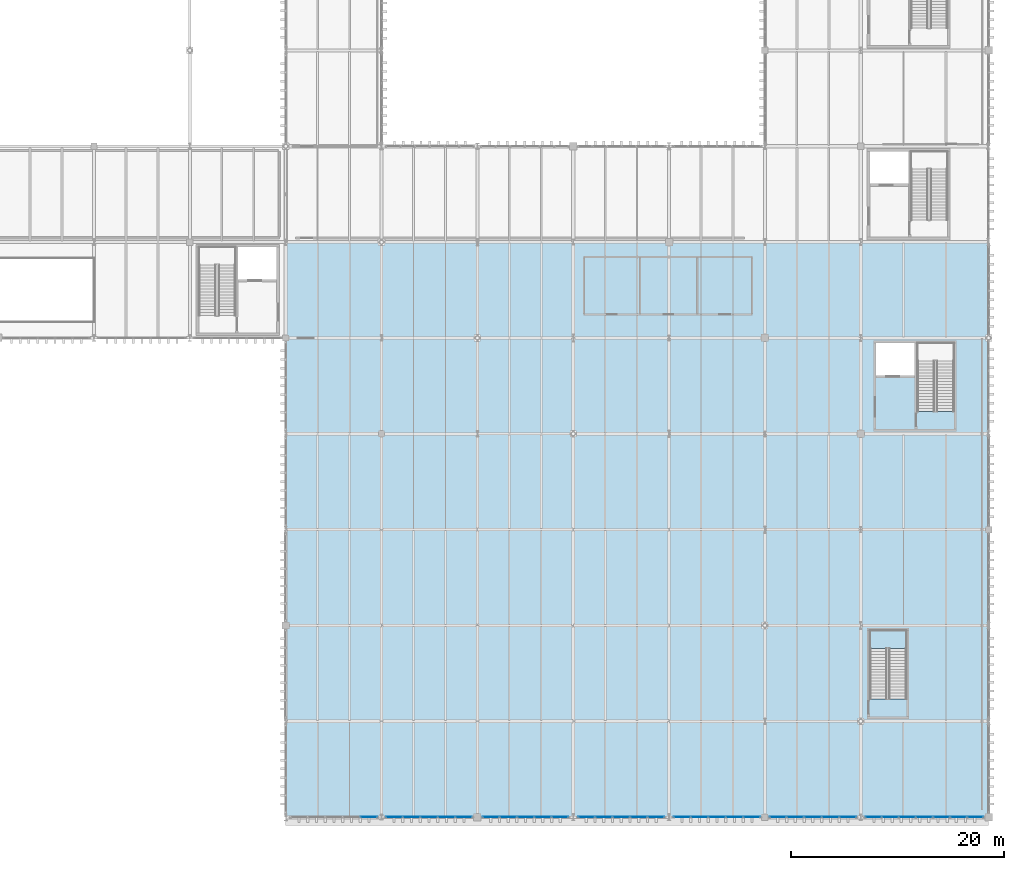
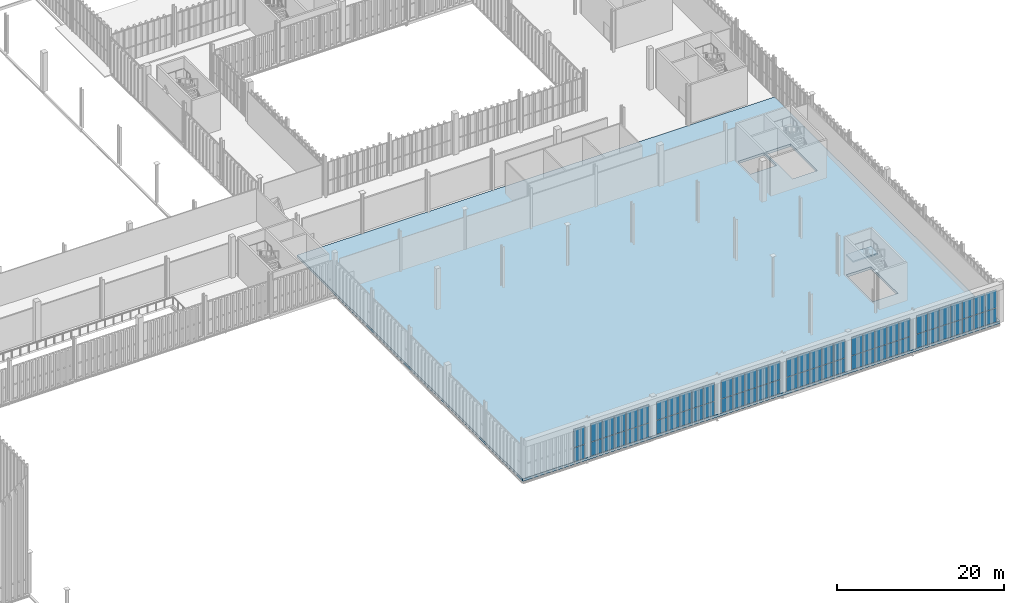
# One storey, part 189 of 237: 66 plates, 2 slabs, 8 elements without a shape of their own.
"""IFC4 building model written with IfcOpenShell, lengths in metres."""

from ifc_helpers import new_model, si_unit, direction, frame, origin, origin_2d, place, context, subcontext, project, spatial, polyline, rectangle, outline, extrude, material, layer, layer_set, type_object, element, aggregate, save


model = new_model("IFC4")

# Units and contexts
model_context = context("Model", 3, precision=1e-05, world=origin(), true_north=direction((0.0, 1.0)))
body_context = subcontext(model_context, "Body", "Model", "MODEL_VIEW")
ifc_project = project(units=[si_unit("LENGTHUNIT", "METRE"), si_unit("AREAUNIT", "SQUARE_METRE"), si_unit("VOLUMEUNIT", "CUBIC_METRE"), si_unit("PLANEANGLEUNIT", "RADIAN"), si_unit("MASSUNIT", "GRAM", prefix="KILO")], contexts=[model_context])

# Site, building, storey
site_placement = place(None, origin())
site = spatial("IfcSite", under=ifc_project, at=site_placement, CompositionType="ELEMENT")
building_placement = place(site_placement, origin())
building = spatial("IfcBuilding", under=site, at=building_placement, Name="Barlavento Convention Centre", CompositionType="ELEMENT")
storey_placement = place(building_placement, frame((0.0, 0.0, 12.0)))
storey = spatial("IfcBuildingStorey", under=building, at=storey_placement, Name="L02", CompositionType="ELEMENT", Elevation=12.0)

# Curtain wall, plates
ifc_material_1 = material(Name="Powder-coated aluminium and Low-E glass", Category="aluminium")
ifc_layer_1 = layer(ifc_material_1, 0.195068359375)
ifc_layer_set_1 = layer_set([ifc_layer_1], Name="ARC-CW-BALL-L02")
curtain_wall_type = type_object("IfcCurtainWallType", Name="ARC-CW-BALL-L02", PredefinedType="NOTDEFINED", material=ifc_layer_set_1)
curtain_wall_1_placement = place(storey_placement, origin())
curtain_wall_1 = element("IfcCurtainWall", 1, at=curtain_wall_1_placement, inside=storey, type_object=curtain_wall_type, Name="L02 unitised curtain wall CW07", PredefinedType="NOTDEFINED")
ifc_material_2 = material(Name="Glazed terracotta spandrel panel", Category="masonry")
ifc_layer_2 = layer(ifc_material_2, 0.044921875)
ifc_layer_set_2 = layer_set([ifc_layer_2], Name="ARC-CWP-TER45")
plate_type = type_object("IfcPlateType", Name="ARC-CWP-TER45", PredefinedType="CURTAIN_PANEL", material=ifc_layer_set_2)
plate_1_placement = place(storey_placement, frame((133.80810546875, 0.0, 0.06494140625), z_axis=(0.0, 0.0, 1.0), x_axis=(1.0, 0.0, 0.0)))
plate_1 = element("IfcPlate", 2, at=plate_1_placement, type_object=plate_type, Name="CW07 panel 5.1", PredefinedType="CURTAIN_PANEL", context=body_context, shape_type="SweptSolid", body=[
    extrude(rectangle(XDim=1.539794921875, YDim=0.044921875, at=origin_2d()), origin(), (0.0, 0.0, 1.0), 2.00244140625),
])
plate_2_placement = place(storey_placement, frame((133.80810546875, 0.0, 2.13232421875), z_axis=(0.0, 0.0, 1.0), x_axis=(1.0, 0.0, 0.0)))
plate_2 = element("IfcPlate", 3, at=plate_2_placement, type_object=plate_type, Name="CW07 panel 5.2", PredefinedType="CURTAIN_PANEL", context=body_context, shape_type="SweptSolid", body=[
    extrude(rectangle(XDim=1.539794921875, YDim=0.044921875, at=origin_2d()), origin(), (0.0, 0.0, 1.0), 2.652587890625),
])
aggregate(curtain_wall_1, [plate_1, plate_2])

curtain_wall_2_placement = place(storey_placement, origin())
curtain_wall_2 = element("IfcCurtainWall", 4, at=curtain_wall_2_placement, inside=storey, type_object=curtain_wall_type, Name="L02 unitised curtain wall CW07", PredefinedType="NOTDEFINED")
plate_3_placement = place(storey_placement, frame((136.190185546875, 0.0, 0.06494140625), z_axis=(0.0, 0.0, 1.0), x_axis=(1.0, 0.0, 0.0)))
plate_3 = element("IfcPlate", 5, at=plate_3_placement, type_object=plate_type, Name="CW07 panel 1.1", PredefinedType="CURTAIN_PANEL", context=body_context, shape_type="SweptSolid", body=[
    extrude(rectangle(XDim=1.53662109375, YDim=0.044921875, at=origin_2d()), origin(), (0.0, 0.0, 1.0), 2.00244140625),
])
plate_4_placement = place(storey_placement, frame((136.190185546875, 0.0, 2.13232421875), z_axis=(0.0, 0.0, 1.0), x_axis=(1.0, 0.0, 0.0)))
plate_4 = element("IfcPlate", 6, at=plate_4_placement, type_object=plate_type, Name="CW07 panel 1.2", PredefinedType="CURTAIN_PANEL", context=body_context, shape_type="SweptSolid", body=[
    extrude(rectangle(XDim=1.53662109375, YDim=0.044921875, at=origin_2d()), origin(), (0.0, 0.0, 1.0), 2.652587890625),
])
plate_5_placement = place(storey_placement, frame((137.814453125, 0.0, 0.06494140625), z_axis=(0.0, 0.0, 1.0), x_axis=(1.0, 0.0, 0.0)))
plate_5 = element("IfcPlate", 7, at=plate_5_placement, type_object=plate_type, Name="CW07 panel 2.1", PredefinedType="CURTAIN_PANEL", context=body_context, shape_type="SweptSolid", body=[
    extrude(rectangle(XDim=1.571533203125, YDim=0.044921875, at=origin_2d()), origin(), (0.0, 0.0, 1.0), 2.00244140625),
])
plate_6_placement = place(storey_placement, frame((137.814453125, 0.0, 2.13232421875), z_axis=(0.0, 0.0, 1.0), x_axis=(1.0, 0.0, 0.0)))
plate_6 = element("IfcPlate", 8, at=plate_6_placement, type_object=plate_type, Name="CW07 panel 2.2", PredefinedType="CURTAIN_PANEL", context=body_context, shape_type="SweptSolid", body=[
    extrude(rectangle(XDim=1.571533203125, YDim=0.044921875, at=origin_2d()), origin(), (0.0, 0.0, 1.0), 2.652587890625),
])
plate_7_placement = place(storey_placement, frame((139.4560546875, 0.0, 0.06494140625), z_axis=(0.0, 0.0, 1.0), x_axis=(1.0, 0.0, 0.0)))
plate_7 = element("IfcPlate", 9, at=plate_7_placement, type_object=plate_type, Name="CW07 panel 3.1", PredefinedType="CURTAIN_PANEL", context=body_context, shape_type="SweptSolid", body=[
    extrude(rectangle(XDim=1.571533203125, YDim=0.044921875, at=origin_2d()), origin(), (0.0, 0.0, 1.0), 2.00244140625),
])
plate_8_placement = place(storey_placement, frame((139.4560546875, 0.0, 2.13232421875), z_axis=(0.0, 0.0, 1.0), x_axis=(1.0, 0.0, 0.0)))
plate_8 = element("IfcPlate", 10, at=plate_8_placement, type_object=plate_type, Name="CW07 panel 3.2", PredefinedType="CURTAIN_PANEL", context=body_context, shape_type="SweptSolid", body=[
    extrude(rectangle(XDim=1.571533203125, YDim=0.044921875, at=origin_2d()), origin(), (0.0, 0.0, 1.0), 2.652587890625),
])
plate_9_placement = place(storey_placement, frame((141.09765625, 0.0, 0.06494140625), z_axis=(0.0, 0.0, 1.0), x_axis=(1.0, 0.0, 0.0)))
plate_9 = element("IfcPlate", 11, at=plate_9_placement, type_object=plate_type, Name="CW07 panel 4.1", PredefinedType="CURTAIN_PANEL", context=body_context, shape_type="SweptSolid", body=[
    extrude(rectangle(XDim=1.571533203125, YDim=0.044921875, at=origin_2d()), origin(), (0.0, 0.0, 1.0), 2.00244140625),
])
plate_10_placement = place(storey_placement, frame((141.09765625, 0.0, 2.13232421875), z_axis=(0.0, 0.0, 1.0), x_axis=(1.0, 0.0, 0.0)))
plate_10 = element("IfcPlate", 12, at=plate_10_placement, type_object=plate_type, Name="CW07 panel 4.2", PredefinedType="CURTAIN_PANEL", context=body_context, shape_type="SweptSolid", body=[
    extrude(rectangle(XDim=1.571533203125, YDim=0.044921875, at=origin_2d()), origin(), (0.0, 0.0, 1.0), 2.652587890625),
])
plate_11_placement = place(storey_placement, frame((142.7216796875, 0.0, 0.06494140625), z_axis=(0.0, 0.0, 1.0), x_axis=(1.0, 0.0, 0.0)))
plate_11 = element("IfcPlate", 13, at=plate_11_placement, type_object=plate_type, Name="CW07 panel 5.1", PredefinedType="CURTAIN_PANEL", context=body_context, shape_type="SweptSolid", body=[
    extrude(rectangle(XDim=1.53662109375, YDim=0.044921875, at=origin_2d()), origin(), (0.0, 0.0, 1.0), 2.00244140625),
])
plate_12_placement = place(storey_placement, frame((142.7216796875, 0.0, 2.13232421875), z_axis=(0.0, 0.0, 1.0), x_axis=(1.0, 0.0, 0.0)))
plate_12 = element("IfcPlate", 14, at=plate_12_placement, type_object=plate_type, Name="CW07 panel 5.2", PredefinedType="CURTAIN_PANEL", context=body_context, shape_type="SweptSolid", body=[
    extrude(rectangle(XDim=1.53662109375, YDim=0.044921875, at=origin_2d()), origin(), (0.0, 0.0, 1.0), 2.652587890625),
])
aggregate(curtain_wall_2, [plate_3, plate_4, plate_5, plate_6, plate_7, plate_8, plate_9, plate_10, plate_11, plate_12])

curtain_wall_3_placement = place(storey_placement, origin())
curtain_wall_3 = element("IfcCurtainWall", 15, at=curtain_wall_3_placement, inside=storey, type_object=curtain_wall_type, Name="L02 unitised curtain wall CW07", PredefinedType="NOTDEFINED")
plate_13_placement = place(storey_placement, frame((145.2734375, 0.0, 0.06494140625), z_axis=(0.0, 0.0, 1.0), x_axis=(1.0, 0.0, 0.0)))
plate_13 = element("IfcPlate", 16, at=plate_13_placement, type_object=plate_type, Name="CW07 panel 1.1", PredefinedType="CURTAIN_PANEL", context=body_context, shape_type="SweptSolid", body=[
    extrude(rectangle(XDim=1.527099609375, YDim=0.044921875, at=origin_2d()), origin(), (0.0, 0.0, 1.0), 2.00244140625),
])
plate_14_placement = place(storey_placement, frame((145.2734375, 0.0, 2.13232421875), z_axis=(0.0, 0.0, 1.0), x_axis=(1.0, 0.0, 0.0)))
plate_14 = element("IfcPlate", 17, at=plate_14_placement, type_object=plate_type, Name="CW07 panel 1.2", PredefinedType="CURTAIN_PANEL", context=body_context, shape_type="SweptSolid", body=[
    extrude(rectangle(XDim=1.527099609375, YDim=0.044921875, at=origin_2d()), origin(), (0.0, 0.0, 1.0), 2.652587890625),
])
plate_15_placement = place(storey_placement, frame((146.887939453125, 0.0, 0.06494140625), z_axis=(0.0, 0.0, 1.0), x_axis=(1.0, 0.0, 0.0)))
plate_15 = element("IfcPlate", 18, at=plate_15_placement, type_object=plate_type, Name="CW07 panel 2.1", PredefinedType="CURTAIN_PANEL", context=body_context, shape_type="SweptSolid", body=[
    extrude(rectangle(XDim=1.56201171875, YDim=0.044921875, at=origin_2d()), origin(), (0.0, 0.0, 1.0), 2.00244140625),
])
plate_16_placement = place(storey_placement, frame((146.887939453125, 0.0, 2.13232421875), z_axis=(0.0, 0.0, 1.0), x_axis=(1.0, 0.0, 0.0)))
plate_16 = element("IfcPlate", 19, at=plate_16_placement, type_object=plate_type, Name="CW07 panel 2.2", PredefinedType="CURTAIN_PANEL", context=body_context, shape_type="SweptSolid", body=[
    extrude(rectangle(XDim=1.56201171875, YDim=0.044921875, at=origin_2d()), origin(), (0.0, 0.0, 1.0), 2.652587890625),
])
plate_17_placement = place(storey_placement, frame((148.52001953125, 0.0, 0.06494140625), z_axis=(0.0, 0.0, 1.0), x_axis=(1.0, 0.0, 0.0)))
plate_17 = element("IfcPlate", 20, at=plate_17_placement, type_object=plate_type, Name="CW07 panel 3.1", PredefinedType="CURTAIN_PANEL", context=body_context, shape_type="SweptSolid", body=[
    extrude(rectangle(XDim=1.56201171875, YDim=0.044921875, at=origin_2d()), origin(), (0.0, 0.0, 1.0), 2.00244140625),
])
plate_18_placement = place(storey_placement, frame((148.52001953125, 0.0, 2.13232421875), z_axis=(0.0, 0.0, 1.0), x_axis=(1.0, 0.0, 0.0)))
plate_18 = element("IfcPlate", 21, at=plate_18_placement, type_object=plate_type, Name="CW07 panel 3.2", PredefinedType="CURTAIN_PANEL", context=body_context, shape_type="SweptSolid", body=[
    extrude(rectangle(XDim=1.56201171875, YDim=0.044921875, at=origin_2d()), origin(), (0.0, 0.0, 1.0), 2.652587890625),
])
plate_19_placement = place(storey_placement, frame((150.152099609375, 0.0, 0.06494140625), z_axis=(0.0, 0.0, 1.0), x_axis=(1.0, 0.0, 0.0)))
plate_19 = element("IfcPlate", 22, at=plate_19_placement, type_object=plate_type, Name="CW07 panel 4.1", PredefinedType="CURTAIN_PANEL", context=body_context, shape_type="SweptSolid", body=[
    extrude(rectangle(XDim=1.56201171875, YDim=0.044921875, at=origin_2d()), origin(), (0.0, 0.0, 1.0), 2.00244140625),
])
plate_20_placement = place(storey_placement, frame((150.152099609375, 0.0, 2.13232421875), z_axis=(0.0, 0.0, 1.0), x_axis=(1.0, 0.0, 0.0)))
plate_20 = element("IfcPlate", 23, at=plate_20_placement, type_object=plate_type, Name="CW07 panel 4.2", PredefinedType="CURTAIN_PANEL", context=body_context, shape_type="SweptSolid", body=[
    extrude(rectangle(XDim=1.56201171875, YDim=0.044921875, at=origin_2d()), origin(), (0.0, 0.0, 1.0), 2.652587890625),
])
plate_21_placement = place(storey_placement, frame((151.7666015625, 0.0, 0.06494140625), z_axis=(0.0, 0.0, 1.0), x_axis=(1.0, 0.0, 0.0)))
plate_21 = element("IfcPlate", 24, at=plate_21_placement, type_object=plate_type, Name="CW07 panel 5.1", PredefinedType="CURTAIN_PANEL", context=body_context, shape_type="SweptSolid", body=[
    extrude(rectangle(XDim=1.527099609375, YDim=0.044921875, at=origin_2d()), origin(), (0.0, 0.0, 1.0), 2.00244140625),
])
plate_22_placement = place(storey_placement, frame((151.7666015625, 0.0, 2.13232421875), z_axis=(0.0, 0.0, 1.0), x_axis=(1.0, 0.0, 0.0)))
plate_22 = element("IfcPlate", 25, at=plate_22_placement, type_object=plate_type, Name="CW07 panel 5.2", PredefinedType="CURTAIN_PANEL", context=body_context, shape_type="SweptSolid", body=[
    extrude(rectangle(XDim=1.527099609375, YDim=0.044921875, at=origin_2d()), origin(), (0.0, 0.0, 1.0), 2.652587890625),
])
aggregate(curtain_wall_3, [plate_13, plate_14, plate_15, plate_16, plate_17, plate_18, plate_19, plate_20, plate_21, plate_22])

curtain_wall_4_placement = place(storey_placement, origin())
curtain_wall_4 = element("IfcCurtainWall", 26, at=curtain_wall_4_placement, inside=storey, type_object=curtain_wall_type, Name="L02 unitised curtain wall CW07", PredefinedType="NOTDEFINED")
plate_23_placement = place(storey_placement, frame((154.238525390625, 0.0, 0.06494140625), z_axis=(0.0, 0.0, 1.0), x_axis=(1.0, 0.0, 0.0)))
plate_23 = element("IfcPlate", 27, at=plate_23_placement, type_object=plate_type, Name="CW07 panel 1.1", PredefinedType="CURTAIN_PANEL", context=body_context, shape_type="SweptSolid", body=[
    extrude(rectangle(XDim=1.537109375, YDim=0.044921875, at=origin_2d()), origin(), (0.0, 0.0, 1.0), 2.00244140625),
])
plate_24_placement = place(storey_placement, frame((154.238525390625, 0.0, 2.13232421875), z_axis=(0.0, 0.0, 1.0), x_axis=(1.0, 0.0, 0.0)))
plate_24 = element("IfcPlate", 28, at=plate_24_placement, type_object=plate_type, Name="CW07 panel 1.2", PredefinedType="CURTAIN_PANEL", context=body_context, shape_type="SweptSolid", body=[
    extrude(rectangle(XDim=1.537109375, YDim=0.044921875, at=origin_2d()), origin(), (0.0, 0.0, 1.0), 2.652587890625),
])
plate_25_placement = place(storey_placement, frame((155.863037109375, 0.0, 0.06494140625), z_axis=(0.0, 0.0, 1.0), x_axis=(1.0, 0.0, 0.0)))
plate_25 = element("IfcPlate", 29, at=plate_25_placement, type_object=plate_type, Name="CW07 panel 2.1", PredefinedType="CURTAIN_PANEL", context=body_context, shape_type="SweptSolid", body=[
    extrude(rectangle(XDim=1.572021484375, YDim=0.044921875, at=origin_2d()), origin(), (0.0, 0.0, 1.0), 2.00244140625),
])
plate_26_placement = place(storey_placement, frame((155.863037109375, 0.0, 2.13232421875), z_axis=(0.0, 0.0, 1.0), x_axis=(1.0, 0.0, 0.0)))
plate_26 = element("IfcPlate", 30, at=plate_26_placement, type_object=plate_type, Name="CW07 panel 2.2", PredefinedType="CURTAIN_PANEL", context=body_context, shape_type="SweptSolid", body=[
    extrude(rectangle(XDim=1.572021484375, YDim=0.044921875, at=origin_2d()), origin(), (0.0, 0.0, 1.0), 2.652587890625),
])
plate_27_placement = place(storey_placement, frame((157.5048828125, 0.0, 0.06494140625), z_axis=(0.0, 0.0, 1.0), x_axis=(1.0, 0.0, 0.0)))
plate_27 = element("IfcPlate", 31, at=plate_27_placement, type_object=plate_type, Name="CW07 panel 3.1", PredefinedType="CURTAIN_PANEL", context=body_context, shape_type="SweptSolid", body=[
    extrude(rectangle(XDim=1.572021484375, YDim=0.044921875, at=origin_2d()), origin(), (0.0, 0.0, 1.0), 2.00244140625),
])
plate_28_placement = place(storey_placement, frame((157.5048828125, 0.0, 2.13232421875), z_axis=(0.0, 0.0, 1.0), x_axis=(1.0, 0.0, 0.0)))
plate_28 = element("IfcPlate", 32, at=plate_28_placement, type_object=plate_type, Name="CW07 panel 3.2", PredefinedType="CURTAIN_PANEL", context=body_context, shape_type="SweptSolid", body=[
    extrude(rectangle(XDim=1.572021484375, YDim=0.044921875, at=origin_2d()), origin(), (0.0, 0.0, 1.0), 2.652587890625),
])
plate_29_placement = place(storey_placement, frame((159.14697265625, 0.0, 0.06494140625), z_axis=(0.0, 0.0, 1.0), x_axis=(1.0, 0.0, 0.0)))
plate_29 = element("IfcPlate", 33, at=plate_29_placement, type_object=plate_type, Name="CW07 panel 4.1", PredefinedType="CURTAIN_PANEL", context=body_context, shape_type="SweptSolid", body=[
    extrude(rectangle(XDim=1.572021484375, YDim=0.044921875, at=origin_2d()), origin(), (0.0, 0.0, 1.0), 2.00244140625),
])
plate_30_placement = place(storey_placement, frame((159.14697265625, 0.0, 2.13232421875), z_axis=(0.0, 0.0, 1.0), x_axis=(1.0, 0.0, 0.0)))
plate_30 = element("IfcPlate", 34, at=plate_30_placement, type_object=plate_type, Name="CW07 panel 4.2", PredefinedType="CURTAIN_PANEL", context=body_context, shape_type="SweptSolid", body=[
    extrude(rectangle(XDim=1.572021484375, YDim=0.044921875, at=origin_2d()), origin(), (0.0, 0.0, 1.0), 2.652587890625),
])
plate_31_placement = place(storey_placement, frame((160.771484375, 0.0, 0.06494140625), z_axis=(0.0, 0.0, 1.0), x_axis=(1.0, 0.0, 0.0)))
plate_31 = element("IfcPlate", 35, at=plate_31_placement, type_object=plate_type, Name="CW07 panel 5.1", PredefinedType="CURTAIN_PANEL", context=body_context, shape_type="SweptSolid", body=[
    extrude(rectangle(XDim=1.537109375, YDim=0.044921875, at=origin_2d()), origin(), (0.0, 0.0, 1.0), 2.00244140625),
])
plate_32_placement = place(storey_placement, frame((160.771484375, 0.0, 2.13232421875), z_axis=(0.0, 0.0, 1.0), x_axis=(1.0, 0.0, 0.0)))
plate_32 = element("IfcPlate", 36, at=plate_32_placement, type_object=plate_type, Name="CW07 panel 5.2", PredefinedType="CURTAIN_PANEL", context=body_context, shape_type="SweptSolid", body=[
    extrude(rectangle(XDim=1.537109375, YDim=0.044921875, at=origin_2d()), origin(), (0.0, 0.0, 1.0), 2.652587890625),
])
aggregate(curtain_wall_4, [plate_23, plate_24, plate_25, plate_26, plate_27, plate_28, plate_29, plate_30, plate_31, plate_32])

curtain_wall_5_placement = place(storey_placement, origin())
curtain_wall_5 = element("IfcCurtainWall", 37, at=curtain_wall_5_placement, inside=storey, type_object=curtain_wall_type, Name="L02 unitised curtain wall CW07", PredefinedType="NOTDEFINED")
plate_33_placement = place(storey_placement, frame((163.2294921875, 0.0, 0.06494140625), z_axis=(0.0, 0.0, 1.0), x_axis=(1.0, 0.0, 0.0)))
plate_33 = element("IfcPlate", 38, at=plate_33_placement, type_object=plate_type, Name="CW07 panel 1.1", PredefinedType="CURTAIN_PANEL", context=body_context, shape_type="SweptSolid", body=[
    extrude(rectangle(XDim=1.5390625, YDim=0.044921875, at=origin_2d()), origin(), (0.0, 0.0, 1.0), 2.00244140625),
])
plate_34_placement = place(storey_placement, frame((163.2294921875, 0.0, 2.13232421875), z_axis=(0.0, 0.0, 1.0), x_axis=(1.0, 0.0, 0.0)))
plate_34 = element("IfcPlate", 39, at=plate_34_placement, type_object=plate_type, Name="CW07 panel 1.2", PredefinedType="CURTAIN_PANEL", context=body_context, shape_type="SweptSolid", body=[
    extrude(rectangle(XDim=1.5390625, YDim=0.044921875, at=origin_2d()), origin(), (0.0, 0.0, 1.0), 2.652587890625),
])
plate_35_placement = place(storey_placement, frame((164.85595703125, 0.0, 0.06494140625), z_axis=(0.0, 0.0, 1.0), x_axis=(1.0, 0.0, 0.0)))
plate_35 = element("IfcPlate", 40, at=plate_35_placement, type_object=plate_type, Name="CW07 panel 2.1", PredefinedType="CURTAIN_PANEL", context=body_context, shape_type="SweptSolid", body=[
    extrude(rectangle(XDim=1.573974609375, YDim=0.044921875, at=origin_2d()), origin(), (0.0, 0.0, 1.0), 2.00244140625),
])
plate_36_placement = place(storey_placement, frame((164.85595703125, 0.0, 2.13232421875), z_axis=(0.0, 0.0, 1.0), x_axis=(1.0, 0.0, 0.0)))
plate_36 = element("IfcPlate", 41, at=plate_36_placement, type_object=plate_type, Name="CW07 panel 2.2", PredefinedType="CURTAIN_PANEL", context=body_context, shape_type="SweptSolid", body=[
    extrude(rectangle(XDim=1.573974609375, YDim=0.044921875, at=origin_2d()), origin(), (0.0, 0.0, 1.0), 2.652587890625),
])
plate_37_placement = place(storey_placement, frame((166.5, 0.0, 0.06494140625), z_axis=(0.0, 0.0, 1.0), x_axis=(1.0, 0.0, 0.0)))
plate_37 = element("IfcPlate", 42, at=plate_37_placement, type_object=plate_type, Name="CW07 panel 3.1", PredefinedType="CURTAIN_PANEL", context=body_context, shape_type="SweptSolid", body=[
    extrude(rectangle(XDim=1.573974609375, YDim=0.044921875, at=origin_2d()), origin(), (0.0, 0.0, 1.0), 2.00244140625),
])
plate_38_placement = place(storey_placement, frame((166.5, 0.0, 2.13232421875), z_axis=(0.0, 0.0, 1.0), x_axis=(1.0, 0.0, 0.0)))
plate_38 = element("IfcPlate", 43, at=plate_38_placement, type_object=plate_type, Name="CW07 panel 3.2", PredefinedType="CURTAIN_PANEL", context=body_context, shape_type="SweptSolid", body=[
    extrude(rectangle(XDim=1.573974609375, YDim=0.044921875, at=origin_2d()), origin(), (0.0, 0.0, 1.0), 2.652587890625),
])
plate_39_placement = place(storey_placement, frame((168.14404296875, 0.0, 0.06494140625), z_axis=(0.0, 0.0, 1.0), x_axis=(1.0, 0.0, 0.0)))
plate_39 = element("IfcPlate", 44, at=plate_39_placement, type_object=plate_type, Name="CW07 panel 4.1", PredefinedType="CURTAIN_PANEL", context=body_context, shape_type="SweptSolid", body=[
    extrude(rectangle(XDim=1.573974609375, YDim=0.044921875, at=origin_2d()), origin(), (0.0, 0.0, 1.0), 2.00244140625),
])
plate_40_placement = place(storey_placement, frame((168.14404296875, 0.0, 2.13232421875), z_axis=(0.0, 0.0, 1.0), x_axis=(1.0, 0.0, 0.0)))
plate_40 = element("IfcPlate", 45, at=plate_40_placement, type_object=plate_type, Name="CW07 panel 4.2", PredefinedType="CURTAIN_PANEL", context=body_context, shape_type="SweptSolid", body=[
    extrude(rectangle(XDim=1.573974609375, YDim=0.044921875, at=origin_2d()), origin(), (0.0, 0.0, 1.0), 2.652587890625),
])
plate_41_placement = place(storey_placement, frame((169.7705078125, 0.0, 0.06494140625), z_axis=(0.0, 0.0, 1.0), x_axis=(1.0, 0.0, 0.0)))
plate_41 = element("IfcPlate", 46, at=plate_41_placement, type_object=plate_type, Name="CW07 panel 5.1", PredefinedType="CURTAIN_PANEL", context=body_context, shape_type="SweptSolid", body=[
    extrude(rectangle(XDim=1.5390625, YDim=0.044921875, at=origin_2d()), origin(), (0.0, 0.0, 1.0), 2.00244140625),
])
plate_42_placement = place(storey_placement, frame((169.7705078125, 0.0, 2.13232421875), z_axis=(0.0, 0.0, 1.0), x_axis=(1.0, 0.0, 0.0)))
plate_42 = element("IfcPlate", 47, at=plate_42_placement, type_object=plate_type, Name="CW07 panel 5.2", PredefinedType="CURTAIN_PANEL", context=body_context, shape_type="SweptSolid", body=[
    extrude(rectangle(XDim=1.5390625, YDim=0.044921875, at=origin_2d()), origin(), (0.0, 0.0, 1.0), 2.652587890625),
])
aggregate(curtain_wall_5, [plate_33, plate_34, plate_35, plate_36, plate_37, plate_38, plate_39, plate_40, plate_41, plate_42])

curtain_wall_6_placement = place(storey_placement, origin())
curtain_wall_6 = element("IfcCurtainWall", 48, at=curtain_wall_6_placement, inside=storey, type_object=curtain_wall_type, Name="L02 unitised curtain wall CW07", PredefinedType="NOTDEFINED")
plate_43_placement = place(storey_placement, frame((172.23095703125, 0.0, 0.06494140625), z_axis=(0.0, 0.0, 1.0), x_axis=(1.0, 0.0, 0.0)))
plate_43 = element("IfcPlate", 49, at=plate_43_placement, type_object=plate_type, Name="CW07 panel 1.1", PredefinedType="CURTAIN_PANEL", context=body_context, shape_type="SweptSolid", body=[
    extrude(rectangle(XDim=1.541748046875, YDim=0.044921875, at=origin_2d()), origin(), (0.0, 0.0, 1.0), 2.00244140625),
])
plate_44_placement = place(storey_placement, frame((172.23095703125, 0.0, 2.13232421875), z_axis=(0.0, 0.0, 1.0), x_axis=(1.0, 0.0, 0.0)))
plate_44 = element("IfcPlate", 50, at=plate_44_placement, type_object=plate_type, Name="CW07 panel 1.2", PredefinedType="CURTAIN_PANEL", context=body_context, shape_type="SweptSolid", body=[
    extrude(rectangle(XDim=1.541748046875, YDim=0.044921875, at=origin_2d()), origin(), (0.0, 0.0, 1.0), 2.652587890625),
])
plate_45_placement = place(storey_placement, frame((173.860107421875, 0.0, 0.06494140625), z_axis=(0.0, 0.0, 1.0), x_axis=(1.0, 0.0, 0.0)))
plate_45 = element("IfcPlate", 51, at=plate_45_placement, type_object=plate_type, Name="CW07 panel 2.1", PredefinedType="CURTAIN_PANEL", context=body_context, shape_type="SweptSolid", body=[
    extrude(rectangle(XDim=1.576904296875, YDim=0.044921875, at=origin_2d()), origin(), (0.0, 0.0, 1.0), 2.00244140625),
])
plate_46_placement = place(storey_placement, frame((173.860107421875, 0.0, 2.13232421875), z_axis=(0.0, 0.0, 1.0), x_axis=(1.0, 0.0, 0.0)))
plate_46 = element("IfcPlate", 52, at=plate_46_placement, type_object=plate_type, Name="CW07 panel 2.2", PredefinedType="CURTAIN_PANEL", context=body_context, shape_type="SweptSolid", body=[
    extrude(rectangle(XDim=1.576904296875, YDim=0.044921875, at=origin_2d()), origin(), (0.0, 0.0, 1.0), 2.652587890625),
])
plate_47_placement = place(storey_placement, frame((175.507080078125, 0.0, 0.06494140625), z_axis=(0.0, 0.0, 1.0), x_axis=(1.0, 0.0, 0.0)))
plate_47 = element("IfcPlate", 53, at=plate_47_placement, type_object=plate_type, Name="CW07 panel 3.1", PredefinedType="CURTAIN_PANEL", context=body_context, shape_type="SweptSolid", body=[
    extrude(rectangle(XDim=1.576904296875, YDim=0.044921875, at=origin_2d()), origin(), (0.0, 0.0, 1.0), 2.00244140625),
])
plate_48_placement = place(storey_placement, frame((175.507080078125, 0.0, 2.13232421875), z_axis=(0.0, 0.0, 1.0), x_axis=(1.0, 0.0, 0.0)))
plate_48 = element("IfcPlate", 54, at=plate_48_placement, type_object=plate_type, Name="CW07 panel 3.2", PredefinedType="CURTAIN_PANEL", context=body_context, shape_type="SweptSolid", body=[
    extrude(rectangle(XDim=1.576904296875, YDim=0.044921875, at=origin_2d()), origin(), (0.0, 0.0, 1.0), 2.652587890625),
])
plate_49_placement = place(storey_placement, frame((177.15380859375, 0.0, 0.06494140625), z_axis=(0.0, 0.0, 1.0), x_axis=(1.0, 0.0, 0.0)))
plate_49 = element("IfcPlate", 55, at=plate_49_placement, type_object=plate_type, Name="CW07 panel 4.1", PredefinedType="CURTAIN_PANEL", context=body_context, shape_type="SweptSolid", body=[
    extrude(rectangle(XDim=1.576904296875, YDim=0.044921875, at=origin_2d()), origin(), (0.0, 0.0, 1.0), 2.00244140625),
])
plate_50_placement = place(storey_placement, frame((177.15380859375, 0.0, 2.13232421875), z_axis=(0.0, 0.0, 1.0), x_axis=(1.0, 0.0, 0.0)))
plate_50 = element("IfcPlate", 56, at=plate_50_placement, type_object=plate_type, Name="CW07 panel 4.2", PredefinedType="CURTAIN_PANEL", context=body_context, shape_type="SweptSolid", body=[
    extrude(rectangle(XDim=1.576904296875, YDim=0.044921875, at=origin_2d()), origin(), (0.0, 0.0, 1.0), 2.652587890625),
])
plate_51_placement = place(storey_placement, frame((178.783203125, 0.0, 0.06494140625), z_axis=(0.0, 0.0, 1.0), x_axis=(1.0, 0.0, 0.0)))
plate_51 = element("IfcPlate", 57, at=plate_51_placement, type_object=plate_type, Name="CW07 panel 5.1", PredefinedType="CURTAIN_PANEL", context=body_context, shape_type="SweptSolid", body=[
    extrude(rectangle(XDim=1.541748046875, YDim=0.044921875, at=origin_2d()), origin(), (0.0, 0.0, 1.0), 2.00244140625),
])
plate_52_placement = place(storey_placement, frame((178.783203125, 0.0, 2.13232421875), z_axis=(0.0, 0.0, 1.0), x_axis=(1.0, 0.0, 0.0)))
plate_52 = element("IfcPlate", 58, at=plate_52_placement, type_object=plate_type, Name="CW07 panel 5.2", PredefinedType="CURTAIN_PANEL", context=body_context, shape_type="SweptSolid", body=[
    extrude(rectangle(XDim=1.541748046875, YDim=0.044921875, at=origin_2d()), origin(), (0.0, 0.0, 1.0), 2.652587890625),
])
aggregate(curtain_wall_6, [plate_43, plate_44, plate_45, plate_46, plate_47, plate_48, plate_49, plate_50, plate_51, plate_52])

curtain_wall_7_placement = place(storey_placement, origin())
curtain_wall_7 = element("IfcCurtainWall", 59, at=curtain_wall_7_placement, inside=storey, type_object=curtain_wall_type, Name="L02 unitised curtain wall CW07", PredefinedType="NOTDEFINED")
plate_53_placement = place(storey_placement, frame((181.1923828125, 0.0, 0.06494140625), z_axis=(0.0, 0.0, 1.0), x_axis=(1.0, 0.0, 0.0)))
plate_53 = element("IfcPlate", 60, at=plate_53_placement, type_object=plate_type, Name="CW07 panel 1.1", PredefinedType="CURTAIN_PANEL", context=body_context, shape_type="SweptSolid", body=[
    extrude(rectangle(XDim=1.49267578125, YDim=0.044921875, at=origin_2d()), origin(), (0.0, 0.0, 1.0), 2.00244140625),
])
plate_54_placement = place(storey_placement, frame((181.1923828125, 0.0, 2.13232421875), z_axis=(0.0, 0.0, 1.0), x_axis=(1.0, 0.0, 0.0)))
plate_54 = element("IfcPlate", 61, at=plate_54_placement, type_object=plate_type, Name="CW07 panel 1.2", PredefinedType="CURTAIN_PANEL", context=body_context, shape_type="SweptSolid", body=[
    extrude(rectangle(XDim=1.49267578125, YDim=0.044921875, at=origin_2d()), origin(), (0.0, 0.0, 1.0), 2.652587890625),
])
plate_55_placement = place(storey_placement, frame((182.7724609375, 0.0, 0.06494140625), z_axis=(0.0, 0.0, 1.0), x_axis=(1.0, 0.0, 0.0)))
plate_55 = element("IfcPlate", 62, at=plate_55_placement, type_object=plate_type, Name="CW07 panel 2.1", PredefinedType="CURTAIN_PANEL", context=body_context, shape_type="SweptSolid", body=[
    extrude(rectangle(XDim=1.52783203125, YDim=0.044921875, at=origin_2d()), origin(), (0.0, 0.0, 1.0), 2.00244140625),
])
plate_56_placement = place(storey_placement, frame((182.7724609375, 0.0, 2.13232421875), z_axis=(0.0, 0.0, 1.0), x_axis=(1.0, 0.0, 0.0)))
plate_56 = element("IfcPlate", 63, at=plate_56_placement, type_object=plate_type, Name="CW07 panel 2.2", PredefinedType="CURTAIN_PANEL", context=body_context, shape_type="SweptSolid", body=[
    extrude(rectangle(XDim=1.52783203125, YDim=0.044921875, at=origin_2d()), origin(), (0.0, 0.0, 1.0), 2.652587890625),
])
plate_57_placement = place(storey_placement, frame((184.370361328125, 0.0, 0.06494140625), z_axis=(0.0, 0.0, 1.0), x_axis=(1.0, 0.0, 0.0)))
plate_57 = element("IfcPlate", 64, at=plate_57_placement, type_object=plate_type, Name="CW07 panel 3.1", PredefinedType="CURTAIN_PANEL", context=body_context, shape_type="SweptSolid", body=[
    extrude(rectangle(XDim=1.52783203125, YDim=0.044921875, at=origin_2d()), origin(), (0.0, 0.0, 1.0), 2.00244140625),
])
plate_58_placement = place(storey_placement, frame((184.370361328125, 0.0, 2.13232421875), z_axis=(0.0, 0.0, 1.0), x_axis=(1.0, 0.0, 0.0)))
plate_58 = element("IfcPlate", 65, at=plate_58_placement, type_object=plate_type, Name="CW07 panel 3.2", PredefinedType="CURTAIN_PANEL", context=body_context, shape_type="SweptSolid", body=[
    extrude(rectangle(XDim=1.52783203125, YDim=0.044921875, at=origin_2d()), origin(), (0.0, 0.0, 1.0), 2.652587890625),
])
plate_59_placement = place(storey_placement, frame((185.968017578125, 0.0, 0.06494140625), z_axis=(0.0, 0.0, 1.0), x_axis=(1.0, 0.0, 0.0)))
plate_59 = element("IfcPlate", 66, at=plate_59_placement, type_object=plate_type, Name="CW07 panel 4.1", PredefinedType="CURTAIN_PANEL", context=body_context, shape_type="SweptSolid", body=[
    extrude(rectangle(XDim=1.52783203125, YDim=0.044921875, at=origin_2d()), origin(), (0.0, 0.0, 1.0), 2.00244140625),
])
plate_60_placement = place(storey_placement, frame((185.968017578125, 0.0, 2.13232421875), z_axis=(0.0, 0.0, 1.0), x_axis=(1.0, 0.0, 0.0)))
plate_60 = element("IfcPlate", 67, at=plate_60_placement, type_object=plate_type, Name="CW07 panel 4.2", PredefinedType="CURTAIN_PANEL", context=body_context, shape_type="SweptSolid", body=[
    extrude(rectangle(XDim=1.52783203125, YDim=0.044921875, at=origin_2d()), origin(), (0.0, 0.0, 1.0), 2.652587890625),
])
plate_61_placement = place(storey_placement, frame((187.565673828125, 0.0, 0.06494140625), z_axis=(0.0, 0.0, 1.0), x_axis=(1.0, 0.0, 0.0)))
plate_61 = element("IfcPlate", 68, at=plate_61_placement, type_object=plate_type, Name="CW07 panel 5.1", PredefinedType="CURTAIN_PANEL", context=body_context, shape_type="SweptSolid", body=[
    extrude(rectangle(XDim=1.52783203125, YDim=0.044921875, at=origin_2d()), origin(), (0.0, 0.0, 1.0), 2.00244140625),
])
plate_62_placement = place(storey_placement, frame((187.565673828125, 0.0, 2.13232421875), z_axis=(0.0, 0.0, 1.0), x_axis=(1.0, 0.0, 0.0)))
plate_62 = element("IfcPlate", 69, at=plate_62_placement, type_object=plate_type, Name="CW07 panel 5.2", PredefinedType="CURTAIN_PANEL", context=body_context, shape_type="SweptSolid", body=[
    extrude(rectangle(XDim=1.52783203125, YDim=0.044921875, at=origin_2d()), origin(), (0.0, 0.0, 1.0), 2.652587890625),
])
plate_63_placement = place(storey_placement, frame((189.163330078125, 0.0, 0.06494140625), z_axis=(0.0, 0.0, 1.0), x_axis=(1.0, 0.0, 0.0)))
plate_63 = element("IfcPlate", 70, at=plate_63_placement, type_object=plate_type, Name="CW07 panel 6.1", PredefinedType="CURTAIN_PANEL", context=body_context, shape_type="SweptSolid", body=[
    extrude(rectangle(XDim=1.52783203125, YDim=0.044921875, at=origin_2d()), origin(), (0.0, 0.0, 1.0), 2.00244140625),
])
plate_64_placement = place(storey_placement, frame((189.163330078125, 0.0, 2.13232421875), z_axis=(0.0, 0.0, 1.0), x_axis=(1.0, 0.0, 0.0)))
plate_64 = element("IfcPlate", 71, at=plate_64_placement, type_object=plate_type, Name="CW07 panel 6.2", PredefinedType="CURTAIN_PANEL", context=body_context, shape_type="SweptSolid", body=[
    extrude(rectangle(XDim=1.52783203125, YDim=0.044921875, at=origin_2d()), origin(), (0.0, 0.0, 1.0), 2.652587890625),
])
plate_65_placement = place(storey_placement, frame((190.74365234375, 0.0, 0.06494140625), z_axis=(0.0, 0.0, 1.0), x_axis=(1.0, 0.0, 0.0)))
plate_65 = element("IfcPlate", 72, at=plate_65_placement, type_object=plate_type, Name="CW07 panel 7.1", PredefinedType="CURTAIN_PANEL", context=body_context, shape_type="SweptSolid", body=[
    extrude(rectangle(XDim=1.49267578125, YDim=0.044921875, at=origin_2d()), origin(), (0.0, 0.0, 1.0), 2.00244140625),
])
plate_66_placement = place(storey_placement, frame((190.74365234375, 0.0, 2.13232421875), z_axis=(0.0, 0.0, 1.0), x_axis=(1.0, 0.0, 0.0)))
plate_66 = element("IfcPlate", 73, at=plate_66_placement, type_object=plate_type, Name="CW07 panel 7.2", PredefinedType="CURTAIN_PANEL", context=body_context, shape_type="SweptSolid", body=[
    extrude(rectangle(XDim=1.49267578125, YDim=0.044921875, at=origin_2d()), origin(), (0.0, 0.0, 1.0), 2.652587890625),
])
aggregate(curtain_wall_7, [plate_53, plate_54, plate_55, plate_56, plate_57, plate_58, plate_59, plate_60, plate_61, plate_62, plate_63, plate_64, plate_65, plate_66])

# Stair, slab
ifc_material_3 = material(Name="Concrete C40/50", Category="concrete")
stair_type = type_object("IfcStairType", Name="ARC-STR-DOG-1620", PredefinedType="HALF_TURN_STAIR", material=ifc_material_3)
stair_placement = place(storey_placement, origin())
stair = element("IfcStair", 74, at=stair_placement, inside=storey, type_object=stair_type, Name="L02 ST14", PredefinedType="HALF_TURN_STAIR")
ifc_layer_3 = layer(ifc_material_3, 0.199951171875)
ifc_layer_set_3 = layer_set([ifc_layer_3], Name="ARC-SLB-LND-200")
slab_type_1 = type_object("IfcSlabType", Name="ARC-SLB-LND-200", PredefinedType="LANDING", material=ifc_layer_set_3)
slab_1_placement = place(storey_placement, frame((0.0, 0.0, 2.800048828125)))
slab_1 = element("IfcSlab", 75, at=slab_1_placement, type_object=slab_type_1, Name="ST14 landing 1", PredefinedType="LANDING", context=body_context, shape_type="SweptSolid", body=[
    extrude(outline(polyline([(184.2900390625, 15.85009765625), (184.2900390625, 17.530029296875), (180.85009765625, 17.530029296875), (180.85009765625, 15.85009765625), (184.2900390625, 15.85009765625)])), origin(), (0.0, 0.0, 1.0), 0.199951171875),
])
aggregate(stair, [slab_1])

# Slab
ifc_layer_4 = layer(ifc_material_3, 0.3701171875)
ifc_layer_set_4 = layer_set([ifc_layer_4], Name="STR-SLB-BALL-370")
slab_type_2 = type_object("IfcSlabType", Name="STR-SLB-BALL-370", PredefinedType="FLOOR", material=ifc_layer_set_4)
slab_2_placement = place(storey_placement, frame((0.0, 0.0, -0.3701171875)))
element("IfcSlab", 76, at=slab_2_placement, inside=storey, type_object=slab_type_2, Name="L02 structural slab FS-204", PredefinedType="FLOOR", context=body_context, shape_type="SweptSolid", body=[
    extrude(outline(polyline([(126.0, 0.0), (192.0, 0.0), (192.0, 54.0), (126.0, 54.0), (126.0, 0.0)]), holes=[polyline([(188.75, 38.114990234375), (188.75, 44.530029296875), (185.31005859375, 44.530029296875), (185.31005859375, 38.114990234375), (188.75, 38.114990234375)]), polyline([(181.449951171875, 41.4951171875), (185.06005859375, 41.4951171875), (185.06005859375, 44.530029296875), (181.449951171875, 44.530029296875), (181.449951171875, 41.4951171875)]), polyline([(184.2900390625, 11.114990234375), (184.2900390625, 17.530029296875), (180.85009765625, 17.530029296875), (180.85009765625, 11.114990234375), (184.2900390625, 11.114990234375)])]), origin(), (0.0, 0.0, 1.0), 0.3701171875),
])

save(model, "model.ifc")
